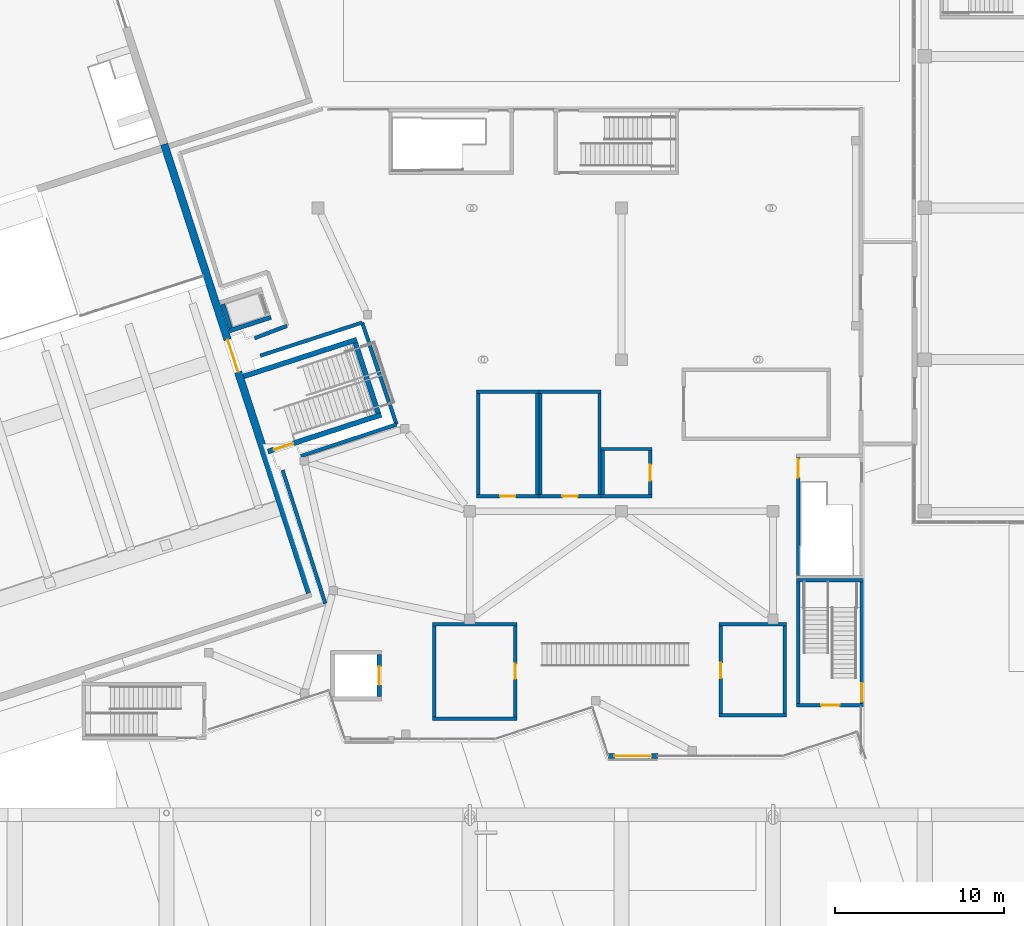
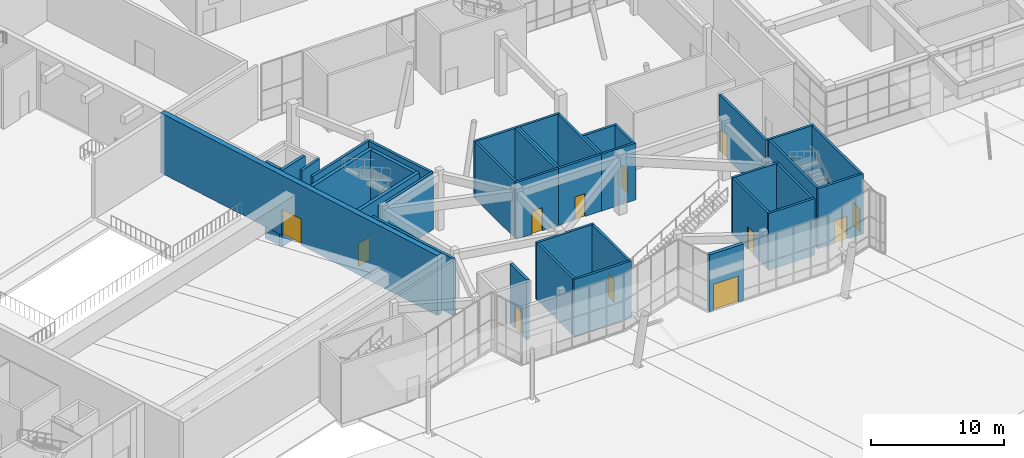
# One storey, part 52 of 72: 38 walls, 12 doors, 12 openings.
"""IFC4 building model written with IfcOpenShell, lengths in metres."""

import ifcopenshell
import ifcopenshell.guid

model = None  # the IFC model being written
_history = None  # IfcOwnerHistory: only IFC2X3 demands one
_inside = {}  # id of a spatial element -> (the spatial element, [elements in it])
_under = {}  # id of a project, library or spatial element -> (it, [spatial elements below it])
_declared = {}  # id of a project -> (the project, [libraries it declares])
_typed = {}  # id of a type object -> (the type object, [elements of that type])
_made_of = {}  # id of a material, layer set ... -> (it, [elements and type objects made of it])


def new_model(schema):
    """Start an empty IFC model of exactly this schema.

    Asked for "IFC4X3", IfcOpenShell would pick the latest addendum, in which some entities
    have other attributes; the version numbers below select the first issue.
    IFC2X3 requires an IfcOwnerHistory on every rooted entity: one is made here for all.
    """
    global model, _history
    if schema == "IFC4X3":
        model = ifcopenshell.file(schema_version=(4, 3, 0, 0))
    else:
        model = ifcopenshell.file(schema=schema)
    _inside.clear()
    _under.clear()
    _declared.clear()
    _typed.clear()
    _made_of.clear()
    _history = None
    if model.schema == "IFC2X3":
        org = make("IfcOrganization", Name="unknown")
        user = make(
            "IfcPersonAndOrganization",
            ThePerson=make("IfcPerson", FamilyName="unknown"),
            TheOrganization=org,
        )
        app = make(
            "IfcApplication",
            ApplicationDeveloper=org,
            Version="unknown",
            ApplicationFullName="unknown",
            ApplicationIdentifier="unknown",
        )
        _history = make(
            "IfcOwnerHistory",
            OwningUser=user,
            OwningApplication=app,
            ChangeAction="ADDED",
            CreationDate=0,
        )
    return model


def make(cls, **values):
    """One entity of the class cls with the attributes given. An attribute that is None is left unset."""
    return model.create_entity(
        cls, **{name: value for name, value in values.items() if value is not None}
    )


def rooted(cls, **values):
    """An entity with a GlobalId (a new one), such as an element, a storey or a relation."""
    return make(cls, GlobalId=ifcopenshell.guid.new(), OwnerHistory=_history, **values)


def si_unit(unit_type, name, prefix=None):
    """IfcSIUnit, for example si_unit("LENGTHUNIT", "METRE", prefix="MILLI")."""
    return make("IfcSIUnit", UnitType=unit_type, Prefix=prefix, Name=name)


def assignment(units):
    """IfcUnitAssignment: the units of a project."""
    return None if units is None else make("IfcUnitAssignment", Units=units)


def point(xyz):
    """IfcCartesianPoint."""
    return None if xyz is None else make("IfcCartesianPoint", Coordinates=xyz)


def direction(xyz):
    """IfcDirection."""
    return None if xyz is None else make("IfcDirection", DirectionRatios=xyz)


def frame(location, z_axis=None, x_axis=None):
    """IfcAxis2Placement3D, a coordinate frame: its origin and axes. An axis left out is left unset."""
    return make(
        "IfcAxis2Placement3D",
        Location=point(location),
        Axis=direction(z_axis),
        RefDirection=direction(x_axis),
    )


def frame_2d(location, x_axis=None):
    """IfcAxis2Placement2D, a coordinate frame in the plane: its origin and x axis."""
    return make(
        "IfcAxis2Placement2D", Location=point(location), RefDirection=direction(x_axis)
    )


def origin():
    """The frame at (0, 0, 0) with its axes left unset."""
    return frame((0.0, 0.0, 0.0))


def place(relative_to, where):
    """IfcLocalPlacement: puts the frame where relative to a parent placement (None: the world)."""
    return make(
        "IfcLocalPlacement", PlacementRelTo=relative_to, RelativePlacement=where
    )


def context(
    kind, dimensions, precision=None, world=None, true_north=None, identifier=None
):
    """IfcGeometricRepresentationContext, for example the 3D "Model" context."""
    return make(
        "IfcGeometricRepresentationContext",
        ContextIdentifier=identifier,
        ContextType=kind,
        CoordinateSpaceDimension=dimensions,
        Precision=precision,
        WorldCoordinateSystem=world,
        TrueNorth=true_north,
    )


def subcontext(parent, identifier, kind, view, scale=None):
    """IfcGeometricRepresentationSubContext, for example "Body" below "Model"."""
    return make(
        "IfcGeometricRepresentationSubContext",
        ContextIdentifier=identifier,
        ContextType=kind,
        ParentContext=parent,
        TargetScale=scale,
        TargetView=view,
    )


def project(units=None, contexts=None):
    """IfcProject with its units and contexts."""
    return rooted(
        "IfcProject",
        Name="project",
        RepresentationContexts=contexts,
        UnitsInContext=assignment(units),
    )


def spatial(cls, under=None, at=None, **own):
    """A site, building, storey or space (cls), placed at a placement, below another one or the project."""
    s = rooted(cls, ObjectPlacement=at, **own)
    if under is not None:
        _under.setdefault(under.id(), (under, []))[1].append(s)
    return s


def profile(cls, at=None, kind="AREA", **sizes):
    """A parametric profile (cls). Its sizes go by their IFC names, for example OverallWidth=200.0."""
    return make(cls, ProfileType=kind, Position=at, **sizes)


def rectangle(**sizes):
    """IfcRectangleProfileDef."""
    return profile("IfcRectangleProfileDef", **sizes)


def extrude(swept, where, along, depth):
    """IfcExtrudedAreaSolid: the profile swept, set in the frame where, extruded along a direction by depth."""
    return make(
        "IfcExtrudedAreaSolid",
        SweptArea=swept,
        Position=where,
        ExtrudedDirection=direction(along),
        Depth=depth,
    )


def shape(context_of_items, identifier, shape_type, items):
    """IfcShapeRepresentation: the items that make up one representation, for example the "Body"."""
    return make(
        "IfcShapeRepresentation",
        ContextOfItems=context_of_items,
        RepresentationIdentifier=identifier,
        RepresentationType=shape_type,
        Items=items,
    )


def material(Name=None, Category=None):
    """IfcMaterial."""
    return make("IfcMaterial", Name=Name, Category=Category)


def layer(
    of_material, thickness, ventilated=None, Name=None, Category=None, Priority=None
):
    """IfcMaterialLayer: one layer of a wall or slab, of a material (None: an air gap)."""
    return make(
        "IfcMaterialLayer",
        Material=of_material,
        LayerThickness=thickness,
        IsVentilated=ventilated,
        Name=Name,
        Category=Category,
        Priority=Priority,
    )


def layer_set(layers, Name=None):
    """IfcMaterialLayerSet."""
    return make("IfcMaterialLayerSet", MaterialLayers=layers, LayerSetName=Name)


def made_of(thing, what):
    """Note that an element or type object is made of a material, layer set ...; save() writes the relation."""
    if what is not None:
        _made_of.setdefault(what.id(), (what, []))[1].append(thing)
    return thing


def type_object(cls, material=None, **own):
    """A type object (cls), such as IfcWallType, which elements share."""
    return made_of(rooted(cls, **own), material)


def element(
    cls,
    number,
    at=None,
    inside=None,
    cuts=None,
    type_object=None,
    material=None,
    context=None,
    identifier="Body",
    shape_type=None,
    held_by="IfcProductDefinitionShape",
    body=None,
    shapes=None,
    **own,
):
    """One element of the class cls, such as IfcWall. Its Tag is "e" and its number.

    at: its placement. inside: the storey or other place that contains it. cuts: it is an
    opening in that element (IfcRelVoidsElement). A single representation is given by context,
    identifier, shape_type and body (its items); several are given by shapes. held_by: the class
    of the entity that holds the representations. save() writes the other relations.
    """
    e = rooted(cls, Tag="e%d" % number, ObjectPlacement=at, **own)
    if body is not None:
        shapes = [shape(context, identifier, shape_type, body)]
    if shapes is not None:
        e.Representation = make(held_by, Representations=shapes)
    if inside is not None:
        _inside.setdefault(inside.id(), (inside, []))[1].append(e)
    if cuts is not None:
        rooted(
            "IfcRelVoidsElement", RelatingBuildingElement=cuts, RelatedOpeningElement=e
        )
    if type_object is not None:
        _typed.setdefault(type_object.id(), (type_object, []))[1].append(e)
    return made_of(e, material)


def fill(opening, filler):
    """IfcRelFillsElement: the door or window that sits in an opening."""
    return rooted(
        "IfcRelFillsElement",
        RelatingOpeningElement=opening,
        RelatedBuildingElement=filler,
    )


def aggregate(whole, parts):
    """IfcRelAggregates: a whole, such as a stair, and the parts it consists of."""
    return rooted("IfcRelAggregates", RelatingObject=whole, RelatedObjects=parts)


def save(model, path):
    """Write the relations noted so far, then the file.

    IfcRelAggregates (storeys below a building ...), IfcRelContainedInSpatialStructure (elements
    in a storey), IfcRelDefinesByType, IfcRelAssociatesMaterial and IfcRelDeclares: one each for
    every whole, place, type object, material and project.
    """
    for whole, parts in _under.values():
        aggregate(whole, parts)
    for where, things in _inside.values():
        rooted(
            "IfcRelContainedInSpatialStructure",
            RelatedElements=things,
            RelatingStructure=where,
        )
    for kind, things in _typed.values():
        rooted("IfcRelDefinesByType", RelatedObjects=things, RelatingType=kind)
    for what, things in _made_of.values():
        rooted("IfcRelAssociatesMaterial", RelatedObjects=things, RelatingMaterial=what)
    for by, libraries in _declared.values():
        rooted("IfcRelDeclares", RelatingContext=by, RelatedDefinitions=libraries)
    model.write(path)


model = new_model("IFC4")

# Units and contexts
model_context = context("Model", 3, precision=1e-05, world=origin(), true_north=direction((0.0, 1.0)))
body_context = subcontext(model_context, "Body", "Model", "MODEL_VIEW")
ifc_project = project(units=[si_unit("LENGTHUNIT", "METRE"), si_unit("AREAUNIT", "SQUARE_METRE"), si_unit("VOLUMEUNIT", "CUBIC_METRE"), si_unit("PLANEANGLEUNIT", "RADIAN"), si_unit("MASSUNIT", "GRAM", prefix="KILO")], contexts=[model_context])

# Site, building, storey
site_placement = place(None, origin())
site = spatial("IfcSite", under=ifc_project, at=site_placement, CompositionType="ELEMENT")
building_placement = place(site_placement, origin())
building = spatial("IfcBuilding", under=site, at=building_placement, Name="Tuart Plaza Theatre", CompositionType="ELEMENT")
storey_placement = place(building_placement, origin())
storey = spatial("IfcBuildingStorey", under=building, at=storey_placement, Name="L00", CompositionType="ELEMENT", Elevation=0.0)

# Wall, opening, door
ifc_material_1 = material(Name="Masonry", Category="masonry")
ifc_layer_1 = layer(ifc_material_1, 0.199951171875)
ifc_layer_set_1 = layer_set([ifc_layer_1], Name="PARTITION BLK200 FRL 120/-/-")
wall_type_1 = type_object("IfcWallType", Name="PARTITION BLK200 FRL 120/-/-", PredefinedType="PARTITIONING", material=ifc_layer_set_1)
wall_1_placement = place(storey_placement, frame((87.39990234375, 56.89990234375, 0.0), z_axis=(0.0, 0.0, 1.0), x_axis=(1.0, 0.0, 0.0)))
wall_1 = element("IfcWall", 1, at=wall_1_placement, inside=storey, type_object=wall_type_1, Name="P285", PredefinedType="PARTITIONING", context=body_context, shape_type="SweptSolid", body=[
    extrude(rectangle(XDim=3.7001953125, YDim=0.199951171875, at=frame_2d((1.85009765625, 0.0))), origin(), (0.0, 0.0, 1.0), 5.199951171875),
])
opening_1_placement = place(wall_1_placement, frame((1.39990234375, 0.0, 0.0)))
opening_1 = element("IfcOpeningElement", 2, at=opening_1_placement, cuts=wall_1, Name="Opening L00-052", PredefinedType="OPENING", context=body_context, shape_type="SweptSolid", body=[
    extrude(rectangle(XDim=0.89990234375, YDim=2.10009765625, at=frame_2d((0.449951171875, 1.050048828125))), frame((0.0, 0.10986328125, 0.0), z_axis=(0.0, -1.0, 0.0), x_axis=(1.0, 0.0, 0.0)), (0.0, 0.0, 1.0), 0.219970703125),
])
ifc_material_2 = material(Name="Timber", Category="wood")
door_type_1 = type_object("IfcDoorType", Name="DOOR 900x2100 timber single swing FRL -/60/30", OperationType="SINGLE_SWING_LEFT", PredefinedType="DOOR", material=ifc_material_2)
door_1_placement = place(opening_1_placement, origin())
door_1 = element("IfcDoor", 3, at=door_1_placement, inside=storey, type_object=door_type_1, Name="L00-052", OperationType="SINGLE_SWING_LEFT", OverallHeight=2.10009765625, OverallWidth=0.89990234375, PredefinedType="DOOR", context=body_context, shape_type="SweptSolid", body=[
    extrude(rectangle(XDim=0.89990234375, YDim=2.10009765625, at=frame_2d((0.449951171875, 1.050048828125))), frame((0.0, 0.02490234375, 0.0), z_axis=(0.0, -1.0, 0.0), x_axis=(1.0, 0.0, 0.0)), (0.0, 0.0, 1.0), 0.050048828125),
])
fill(opening_1, door_1)

# Walls
wall_2_placement = place(storey_placement, frame((91.0, 57.0, 0.0), z_axis=(0.0, 0.0, 1.0), x_axis=(0.0, 1.0, 0.0)))
element("IfcWall", 4, at=wall_2_placement, inside=storey, type_object=wall_type_1, Name="P286", PredefinedType="PARTITIONING", context=body_context, shape_type="SweptSolid", body=[
    extrude(rectangle(XDim=6.0, YDim=0.199951171875, at=frame_2d((3.0, 0.0))), origin(), (0.0, 0.0, 1.0), 5.199951171875),
])
wall_3_placement = place(storey_placement, frame((91.10009765625, 63.10009765625, 0.0), z_axis=(0.0, 0.0, 1.0), x_axis=(-1.0, 0.0, 0.0)))
element("IfcWall", 5, at=wall_3_placement, inside=storey, type_object=wall_type_1, Name="P287", PredefinedType="PARTITIONING", context=body_context, shape_type="SweptSolid", body=[
    extrude(rectangle(XDim=3.7001953125, YDim=0.199951171875, at=frame_2d((1.85009765625, 0.0))), origin(), (0.0, 0.0, 1.0), 5.199951171875),
])
wall_4_placement = place(storey_placement, frame((87.5, 63.0, 0.0), z_axis=(0.0, 0.0, 1.0), x_axis=(0.0, -1.0, 0.0)))
element("IfcWall", 6, at=wall_4_placement, inside=storey, type_object=wall_type_1, Name="P288", PredefinedType="PARTITIONING", context=body_context, shape_type="SweptSolid", body=[
    extrude(rectangle(XDim=6.0, YDim=0.199951171875, at=frame_2d((3.0, 0.0))), origin(), (0.0, 0.0, 1.0), 5.199951171875),
])

# Wall, opening, door
wall_5_placement = place(storey_placement, frame((91.10009765625, 56.89990234375, 0.0), z_axis=(0.0, 0.0, 1.0), x_axis=(1.0, 0.0, 0.0)))
wall_5 = element("IfcWall", 7, at=wall_5_placement, inside=storey, type_object=wall_type_1, Name="P289", PredefinedType="PARTITIONING", context=body_context, shape_type="SweptSolid", body=[
    extrude(rectangle(XDim=3.699951171875, YDim=0.199951171875, at=frame_2d((1.85009765625, 0.0))), origin(), (0.0, 0.0, 1.0), 5.199951171875),
])
opening_2_placement = place(wall_5_placement, frame((1.39990234375, 0.0, 0.0)))
opening_2 = element("IfcOpeningElement", 8, at=opening_2_placement, cuts=wall_5, Name="Opening L00-053", PredefinedType="OPENING", context=body_context, shape_type="SweptSolid", body=[
    extrude(rectangle(XDim=0.89990234375, YDim=2.10009765625, at=frame_2d((0.449951171875, 1.050048828125))), frame((0.0, 0.10986328125, 0.0), z_axis=(0.0, -1.0, 0.0), x_axis=(1.0, 0.0, 0.0)), (0.0, 0.0, 1.0), 0.219970703125),
])
door_2_placement = place(opening_2_placement, origin())
door_2 = element("IfcDoor", 9, at=door_2_placement, inside=storey, type_object=door_type_1, Name="L00-053", OperationType="SINGLE_SWING_RIGHT", OverallHeight=2.10009765625, OverallWidth=0.89990234375, PredefinedType="DOOR", context=body_context, shape_type="SweptSolid", body=[
    extrude(rectangle(XDim=0.89990234375, YDim=2.10009765625, at=frame_2d((0.449951171875, 1.050048828125))), frame((0.0, 0.02490234375, 0.0), z_axis=(0.0, -1.0, 0.0), x_axis=(1.0, 0.0, 0.0)), (0.0, 0.0, 1.0), 0.050048828125),
])
fill(opening_2, door_2)

# Walls
wall_6_placement = place(storey_placement, frame((94.699951171875, 57.0, 0.0), z_axis=(0.0, 0.0, 1.0), x_axis=(0.0, 1.0, 0.0)))
element("IfcWall", 10, at=wall_6_placement, inside=storey, type_object=wall_type_1, Name="P290", PredefinedType="PARTITIONING", context=body_context, shape_type="SweptSolid", body=[
    extrude(rectangle(XDim=6.0, YDim=0.199951171875, at=frame_2d((3.0, 0.0))), origin(), (0.0, 0.0, 1.0), 5.199951171875),
])
wall_7_placement = place(storey_placement, frame((94.800048828125, 63.10009765625, 0.0), z_axis=(0.0, 0.0, 1.0), x_axis=(-1.0, 0.0, 0.0)))
element("IfcWall", 11, at=wall_7_placement, inside=storey, type_object=wall_type_1, Name="P291", PredefinedType="PARTITIONING", context=body_context, shape_type="SweptSolid", body=[
    extrude(rectangle(XDim=3.699951171875, YDim=0.199951171875, at=frame_2d((1.85009765625, 0.0))), origin(), (0.0, 0.0, 1.0), 5.199951171875),
])
wall_8_placement = place(storey_placement, frame((91.199951171875, 63.0, 0.0), z_axis=(0.0, 0.0, 1.0), x_axis=(0.0, -1.0, 0.0)))
element("IfcWall", 12, at=wall_8_placement, inside=storey, type_object=wall_type_1, Name="P292", PredefinedType="PARTITIONING", context=body_context, shape_type="SweptSolid", body=[
    extrude(rectangle(XDim=6.0, YDim=0.199951171875, at=frame_2d((3.0, 0.0))), origin(), (0.0, 0.0, 1.0), 5.199951171875),
])
wall_9_placement = place(storey_placement, frame((94.800048828125, 56.89990234375, 0.0), z_axis=(0.0, 0.0, 1.0), x_axis=(1.0, 0.0, 0.0)))
element("IfcWall", 13, at=wall_9_placement, inside=storey, type_object=wall_type_1, Name="P293", PredefinedType="PARTITIONING", context=body_context, shape_type="SweptSolid", body=[
    extrude(rectangle(XDim=3.0, YDim=0.199951171875, at=frame_2d((1.5, 0.0))), origin(), (0.0, 0.0, 1.0), 5.199951171875),
])

# Wall, opening, door
wall_10_placement = place(storey_placement, frame((97.699951171875, 57.0, 0.0), z_axis=(0.0, 0.0, 1.0), x_axis=(0.0, 1.0, 0.0)))
wall_10 = element("IfcWall", 14, at=wall_10_placement, inside=storey, type_object=wall_type_1, Name="P294", PredefinedType="PARTITIONING", context=body_context, shape_type="SweptSolid", body=[
    extrude(rectangle(XDim=2.60009765625, YDim=0.199951171875, at=frame_2d((1.300048828125, 0.0))), origin(), (0.0, 0.0, 1.0), 5.199951171875),
])
opening_3_placement = place(wall_10_placement, frame((0.824951171875, 0.0, 0.0)))
opening_3 = element("IfcOpeningElement", 15, at=opening_3_placement, cuts=wall_10, Name="Opening L00-054", PredefinedType="OPENING", context=body_context, shape_type="SweptSolid", body=[
    extrude(rectangle(XDim=0.949951171875, YDim=2.10009765625, at=frame_2d((0.47509765625, 1.050048828125))), frame((0.0, 0.10986328125, 0.0), z_axis=(0.0, -1.0, 0.0), x_axis=(1.0, 0.0, 0.0)), (0.0, 0.0, 1.0), 0.219970703125),
])
ifc_material_3 = material(Name="Timber", Category="wood")
door_type_2 = type_object("IfcDoorType", Name="DOOR 950x2100 timber single swing FRL -/60/30", OperationType="SINGLE_SWING_LEFT", PredefinedType="DOOR", material=ifc_material_3)
door_3_placement = place(opening_3_placement, origin())
door_3 = element("IfcDoor", 16, at=door_3_placement, inside=storey, type_object=door_type_2, Name="L00-054", OperationType="SINGLE_SWING_LEFT", OverallHeight=2.10009765625, OverallWidth=0.949951171875, PredefinedType="DOOR", context=body_context, shape_type="SweptSolid", body=[
    extrude(rectangle(XDim=0.949951171875, YDim=2.10009765625, at=frame_2d((0.47509765625, 1.050048828125))), frame((0.0, 0.02490234375, 0.0), z_axis=(0.0, -1.0, 0.0), x_axis=(1.0, 0.0, 0.0)), (0.0, 0.0, 1.0), 0.050048828125),
])
fill(opening_3, door_3)

# Walls
wall_11_placement = place(storey_placement, frame((97.800048828125, 59.699951171875, 0.0), z_axis=(0.0, 0.0, 1.0), x_axis=(-1.0, 0.0, 0.0)))
element("IfcWall", 17, at=wall_11_placement, inside=storey, type_object=wall_type_1, Name="P295", PredefinedType="PARTITIONING", context=body_context, shape_type="SweptSolid", body=[
    extrude(rectangle(XDim=3.0, YDim=0.199951171875, at=frame_2d((1.5, 0.0))), origin(), (0.0, 0.0, 1.0), 5.199951171875),
])
wall_12_placement = place(storey_placement, frame((94.89990234375, 59.60009765625, 0.0), z_axis=(0.0, 0.0, 1.0), x_axis=(0.0, -1.0, 0.0)))
element("IfcWall", 18, at=wall_12_placement, inside=storey, type_object=wall_type_1, Name="P296", PredefinedType="PARTITIONING", context=body_context, shape_type="SweptSolid", body=[
    extrude(rectangle(XDim=2.60009765625, YDim=0.199951171875, at=frame_2d((1.300048828125, 0.0))), origin(), (0.0, 0.0, 1.0), 5.199951171875),
])
wall_13_placement = place(storey_placement, frame((84.800048828125, 43.699951171875, 0.0), z_axis=(0.0, 0.0, 1.0), x_axis=(1.0, 0.0, 0.0)))
element("IfcWall", 19, at=wall_13_placement, inside=storey, type_object=wall_type_1, Name="P297", PredefinedType="PARTITIONING", context=body_context, shape_type="SweptSolid", body=[
    extrude(rectangle(XDim=5.0, YDim=0.199951171875, at=frame_2d((2.5, 0.0))), origin(), (0.0, 0.0, 1.0), 5.199951171875),
])

# Wall, opening, door
wall_14_placement = place(storey_placement, frame((89.699951171875, 43.800048828125, 0.0), z_axis=(0.0, 0.0, 1.0), x_axis=(0.0, 1.0, 0.0)))
wall_14 = element("IfcWall", 20, at=wall_14_placement, inside=storey, type_object=wall_type_1, Name="P298", PredefinedType="PARTITIONING", context=body_context, shape_type="SweptSolid", body=[
    extrude(rectangle(XDim=5.39990234375, YDim=0.199951171875, at=frame_2d((2.699951171875, 0.0))), origin(), (0.0, 0.0, 1.0), 5.199951171875),
])
opening_4_placement = place(wall_14_placement, frame((2.25, 0.0, 0.0)))
opening_4 = element("IfcOpeningElement", 21, at=opening_4_placement, cuts=wall_14, Name="Opening L00-055", PredefinedType="OPENING", context=body_context, shape_type="SweptSolid", body=[
    extrude(rectangle(XDim=0.89990234375, YDim=2.10009765625, at=frame_2d((0.449951171875, 1.050048828125))), frame((0.0, 0.10986328125, 0.0), z_axis=(0.0, -1.0, 0.0), x_axis=(1.0, 0.0, 0.0)), (0.0, 0.0, 1.0), 0.219970703125),
])
door_4_placement = place(opening_4_placement, origin())
door_4 = element("IfcDoor", 22, at=door_4_placement, inside=storey, type_object=door_type_1, Name="L00-055", OperationType="SINGLE_SWING_RIGHT", OverallHeight=2.10009765625, OverallWidth=0.89990234375, PredefinedType="DOOR", context=body_context, shape_type="SweptSolid", body=[
    extrude(rectangle(XDim=0.89990234375, YDim=2.10009765625, at=frame_2d((0.449951171875, 1.050048828125))), frame((0.0, 0.02490234375, 0.0), z_axis=(0.0, -1.0, 0.0), x_axis=(1.0, 0.0, 0.0)), (0.0, 0.0, 1.0), 0.050048828125),
])
fill(opening_4, door_4)

# Walls
wall_15_placement = place(storey_placement, frame((89.800048828125, 49.300048828125, 0.0), z_axis=(0.0, 0.0, 1.0), x_axis=(-1.0, 0.0, 0.0)))
element("IfcWall", 23, at=wall_15_placement, inside=storey, type_object=wall_type_1, Name="P299", PredefinedType="PARTITIONING", context=body_context, shape_type="SweptSolid", body=[
    extrude(rectangle(XDim=5.0, YDim=0.199951171875, at=frame_2d((2.5, 0.0))), origin(), (0.0, 0.0, 1.0), 5.199951171875),
])
wall_16_placement = place(storey_placement, frame((84.89990234375, 49.199951171875, 0.0), z_axis=(0.0, 0.0, 1.0), x_axis=(0.0, -1.0, 0.0)))
element("IfcWall", 24, at=wall_16_placement, inside=storey, type_object=wall_type_1, Name="P300", PredefinedType="PARTITIONING", context=body_context, shape_type="SweptSolid", body=[
    extrude(rectangle(XDim=5.39990234375, YDim=0.199951171875, at=frame_2d((2.699951171875, 0.0))), origin(), (0.0, 0.0, 1.0), 5.199951171875),
])
wall_17_placement = place(storey_placement, frame((101.800048828125, 43.89990234375, 0.0), z_axis=(0.0, 0.0, 1.0), x_axis=(1.0, 0.0, 0.0)))
element("IfcWall", 25, at=wall_17_placement, inside=storey, type_object=wall_type_1, Name="P301", PredefinedType="PARTITIONING", context=body_context, shape_type="SweptSolid", body=[
    extrude(rectangle(XDim=4.0, YDim=0.199951171875, at=frame_2d((2.0, 0.0))), origin(), (0.0, 0.0, 1.0), 5.199951171875),
])
wall_18_placement = place(storey_placement, frame((105.699951171875, 44.0, 0.0), z_axis=(0.0, 0.0, 1.0), x_axis=(0.0, 1.0, 0.0)))
element("IfcWall", 26, at=wall_18_placement, inside=storey, type_object=wall_type_1, Name="P302", PredefinedType="PARTITIONING", context=body_context, shape_type="SweptSolid", body=[
    extrude(rectangle(XDim=5.199951171875, YDim=0.199951171875, at=frame_2d((2.60009765625, 0.0))), origin(), (0.0, 0.0, 1.0), 5.199951171875),
])
wall_19_placement = place(storey_placement, frame((105.800048828125, 49.300048828125, 0.0), z_axis=(0.0, 0.0, 1.0), x_axis=(-1.0, 0.0, 0.0)))
element("IfcWall", 27, at=wall_19_placement, inside=storey, type_object=wall_type_1, Name="P303", PredefinedType="PARTITIONING", context=body_context, shape_type="SweptSolid", body=[
    extrude(rectangle(XDim=4.0, YDim=0.199951171875, at=frame_2d((2.0, 0.0))), origin(), (0.0, 0.0, 1.0), 5.199951171875),
])

# Wall, opening, door
wall_20_placement = place(storey_placement, frame((101.89990234375, 49.199951171875, 0.0), z_axis=(0.0, 0.0, 1.0), x_axis=(0.0, -1.0, 0.0)))
wall_20 = element("IfcWall", 28, at=wall_20_placement, inside=storey, type_object=wall_type_1, Name="P304", PredefinedType="PARTITIONING", context=body_context, shape_type="SweptSolid", body=[
    extrude(rectangle(XDim=5.199951171875, YDim=0.199951171875, at=frame_2d((2.60009765625, 0.0))), origin(), (0.0, 0.0, 1.0), 5.199951171875),
])
opening_5_placement = place(wall_20_placement, frame((2.199951171875, 0.0, 0.0)))
opening_5 = element("IfcOpeningElement", 29, at=opening_5_placement, cuts=wall_20, Name="Opening L00-056", PredefinedType="OPENING", context=body_context, shape_type="SweptSolid", body=[
    extrude(rectangle(XDim=0.89990234375, YDim=2.10009765625, at=frame_2d((0.449951171875, 1.050048828125))), frame((0.0, 0.10986328125, 0.0), z_axis=(0.0, -1.0, 0.0), x_axis=(1.0, 0.0, 0.0)), (0.0, 0.0, 1.0), 0.219970703125),
])
door_5_placement = place(opening_5_placement, origin())
door_5 = element("IfcDoor", 30, at=door_5_placement, inside=storey, type_object=door_type_1, Name="L00-056", OperationType="SINGLE_SWING_LEFT", OverallHeight=2.10009765625, OverallWidth=0.89990234375, PredefinedType="DOOR", context=body_context, shape_type="SweptSolid", body=[
    extrude(rectangle(XDim=0.89990234375, YDim=2.10009765625, at=frame_2d((0.449951171875, 1.050048828125))), frame((0.0, 0.02490234375, 0.0), z_axis=(0.0, -1.0, 0.0), x_axis=(1.0, 0.0, 0.0)), (0.0, 0.0, 1.0), 0.050048828125),
])
fill(opening_5, door_5)

ifc_material_4 = material(Name="Concrete N40 (40 MPa)", Category="concrete")
ifc_layer_2 = layer(ifc_material_4, 0.199951171875)
ifc_layer_set_2 = layer_set([ifc_layer_2], Name="SHEAR WALL RC200 FRL 120/120/120")
wall_type_2 = type_object("IfcWallType", Name="SHEAR WALL RC200 FRL 120/120/120", PredefinedType="SHEAR", material=ifc_layer_set_2)
wall_21_placement = place(storey_placement, frame((106.39990234375, 44.5, 0.0), z_axis=(0.0, 0.0, 1.0), x_axis=(1.0, 0.0, 0.0)))
wall_21 = element("IfcWall", 31, at=wall_21_placement, inside=storey, type_object=wall_type_2, Name="W247", PredefinedType="SHEAR", context=body_context, shape_type="SweptSolid", body=[
    extrude(rectangle(XDim=3.960205078125, YDim=0.199951171875, at=frame_2d((1.97998046875, 0.0))), origin(), (0.0, 0.0, 1.0), 5.5),
])
opening_6_placement = place(wall_21_placement, frame((1.449951171875, 0.0, 0.0)))
opening_6 = element("IfcOpeningElement", 32, at=opening_6_placement, cuts=wall_21, Name="Opening L00-062", PredefinedType="OPENING", context=body_context, shape_type="SweptSolid", body=[
    extrude(rectangle(XDim=1.10009765625, YDim=2.10009765625, at=frame_2d((0.550048828125, 1.050048828125))), frame((0.0, 0.10986328125, 0.0), z_axis=(0.0, -1.0, 0.0), x_axis=(1.0, 0.0, 0.0)), (0.0, 0.0, 1.0), 0.219970703125),
])
ifc_material_5 = material(Name="Steel Grade 300", Category="steel")
door_type_3 = type_object("IfcDoorType", Name="DOOR 1100x2100 steel single swing FRL -/120/30", OperationType="SINGLE_SWING_LEFT", PredefinedType="DOOR", material=ifc_material_5)
door_6_placement = place(opening_6_placement, origin())
door_6 = element("IfcDoor", 33, at=door_6_placement, inside=storey, type_object=door_type_3, Name="L00-062", OperationType="SINGLE_SWING_LEFT", OverallHeight=2.10009765625, OverallWidth=1.10009765625, PredefinedType="DOOR", context=body_context, shape_type="SweptSolid", body=[
    extrude(rectangle(XDim=1.10009765625, YDim=2.10009765625, at=frame_2d((0.550048828125, 1.050048828125))), frame((0.0, 0.02490234375, 0.0), z_axis=(0.0, -1.0, 0.0), x_axis=(1.0, 0.0, 0.0)), (0.0, 0.0, 1.0), 0.050048828125),
])
fill(opening_6, door_6)

# Walls
wall_22_placement = place(storey_placement, frame((110.360107421875, 51.89990234375, 0.0), z_axis=(0.0, 0.0, 1.0), x_axis=(-1.0, 0.0, 0.0)))
element("IfcWall", 34, at=wall_22_placement, inside=storey, type_object=wall_type_2, Name="W248", PredefinedType="SHEAR", context=body_context, shape_type="SweptSolid", body=[
    extrude(rectangle(XDim=3.960205078125, YDim=0.199951171875, at=frame_2d((1.97998046875, 0.0))), origin(), (0.0, 0.0, 1.0), 5.5),
])
wall_23_placement = place(storey_placement, frame((106.5, 51.800048828125, 0.0), z_axis=(0.0, 0.0, 1.0), x_axis=(0.0, -1.0, 0.0)))
element("IfcWall", 35, at=wall_23_placement, inside=storey, type_object=wall_type_2, Name="W249", PredefinedType="SHEAR", context=body_context, shape_type="SweptSolid", body=[
    extrude(rectangle(XDim=7.199951171875, YDim=0.199951171875, at=frame_2d((3.60009765625, 0.0))), origin(), (0.0, 0.0, 1.0), 5.5),
])

# Wall, opening, door
wall_24_placement = place(storey_placement, frame((106.5, 59.199951171875, 0.0), z_axis=(0.0, 0.0, 1.0), x_axis=(0.0, -1.0, 0.0)))
wall_24 = element("IfcWall", 36, at=wall_24_placement, inside=storey, type_object=wall_type_2, Name="W261", PredefinedType="SHEAR", context=body_context, shape_type="SweptSolid", body=[
    extrude(rectangle(XDim=7.0, YDim=0.199951171875, at=frame_2d((3.5, 0.0))), origin(), (0.0, 0.0, 1.0), 5.199951171875),
])
opening_7_placement = place(wall_24_placement, frame((0.10009765625, 0.0, 0.0)))
opening_7 = element("IfcOpeningElement", 37, at=opening_7_placement, cuts=wall_24, Name="Opening L00-101", PredefinedType="OPENING", context=body_context, shape_type="SweptSolid", body=[
    extrude(rectangle(XDim=1.10009765625, YDim=2.10009765625, at=frame_2d((0.550048828125, 1.050048828125))), frame((0.0, 0.10986328125, 0.0), z_axis=(0.0, -1.0, 0.0), x_axis=(1.0, 0.0, 0.0)), (0.0, 0.0, 1.0), 0.219970703125),
])
door_7_placement = place(opening_7_placement, origin())
door_7 = element("IfcDoor", 38, at=door_7_placement, inside=storey, type_object=door_type_3, Name="L00-101", OperationType="SINGLE_SWING_RIGHT", OverallHeight=2.10009765625, OverallWidth=1.10009765625, PredefinedType="DOOR", context=body_context, shape_type="SweptSolid", body=[
    extrude(rectangle(XDim=1.10009765625, YDim=2.10009765625, at=frame_2d((0.550048828125, 1.050048828125))), frame((0.0, 0.02490234375, 0.0), z_axis=(0.0, -1.0, 0.0), x_axis=(1.0, 0.0, 0.0)), (0.0, 0.0, 1.0), 0.050048828125),
])
fill(opening_7, door_7)

ifc_material_6 = material(Name="Concrete N40 (40 MPa)", Category="concrete")
ifc_layer_3 = layer(ifc_material_6, 0.199951171875)
ifc_layer_set_3 = layer_set([ifc_layer_3], Name="SHEAR WALL RC200 FRL 120/120/120 EXT")
wall_type_3 = type_object("IfcWallType", Name="SHEAR WALL RC200 FRL 120/120/120 EXT", PredefinedType="SHEAR", material=ifc_layer_set_3)
wall_25_placement = place(storey_placement, frame((110.260009765625, 44.60009765625, 0.0), z_axis=(0.0, 0.0, 1.0), x_axis=(0.0, 1.0, 0.0)))
wall_25 = element("IfcWall", 39, at=wall_25_placement, inside=storey, type_object=wall_type_3, Name="W258", PredefinedType="SHEAR", context=body_context, shape_type="SweptSolid", body=[
    extrude(rectangle(XDim=7.199951171875, YDim=0.199951171875, at=frame_2d((3.60009765625, 0.0))), origin(), (0.0, 0.0, 1.0), 5.5),
])
opening_8_placement = place(wall_25_placement, frame((0.10009765625, 0.0, 0.0)))
opening_8 = element("IfcOpeningElement", 40, at=opening_8_placement, cuts=wall_25, Name="Opening L00-063", PredefinedType="OPENING", context=body_context, shape_type="SweptSolid", body=[
    extrude(rectangle(XDim=1.10009765625, YDim=2.10009765625, at=frame_2d((0.550048828125, 1.050048828125))), frame((0.0, 0.10986328125, 0.0), z_axis=(0.0, -1.0, 0.0), x_axis=(1.0, 0.0, 0.0)), (0.0, 0.0, 1.0), 0.219970703125),
])
door_8_placement = place(opening_8_placement, frame((1.10009765625, 0.0, 0.0), z_axis=(0.0, 0.0, 1.0), x_axis=(-1.0, 0.0, 0.0)))
door_8 = element("IfcDoor", 41, at=door_8_placement, inside=storey, type_object=door_type_3, Name="L00-063", OperationType="SINGLE_SWING_LEFT", OverallHeight=2.10009765625, OverallWidth=1.10009765625, PredefinedType="DOOR", context=body_context, shape_type="SweptSolid", body=[
    extrude(rectangle(XDim=1.10009765625, YDim=2.10009765625, at=frame_2d((0.550048828125, 1.050048828125))), frame((0.0, 0.02490234375, 0.0), z_axis=(0.0, -1.0, 0.0), x_axis=(1.0, 0.0, 0.0)), (0.0, 0.0, 1.0), 0.050048828125),
])
fill(opening_8, door_8)

# Walls
ifc_material_7 = material(Name="Concrete N40 (40 MPa)", Category="concrete")
ifc_layer_4 = layer(ifc_material_7, 0.25)
ifc_layer_set_4 = layer_set([ifc_layer_4], Name="SHEAR WALL RC250 FRL 120/120/120")
wall_type_4 = type_object("IfcWallType", Name="SHEAR WALL RC250 FRL 120/120/120", PredefinedType="SHEAR", material=ifc_layer_set_4)
wall_26_placement = place(storey_placement, frame((72.727294921875, 66.70751953125, -1.5), z_axis=(0.0, 0.0, 1.0), x_axis=(0.951087187149, 0.308922583248, 0.0)))
element("IfcWall", 42, at=wall_26_placement, inside=storey, type_object=wall_type_4, Name="W228", PredefinedType="SHEAR", context=body_context, shape_type="SweptSolid", body=[
    extrude(rectangle(XDim=2.60009765625, YDim=0.25, at=frame_2d((1.300048828125, 0.0))), origin(), (0.0, 0.0, 1.0), 7.0),
])
wall_27_placement = place(storey_placement, frame((72.343994140625, 68.29150390625, -1.5), z_axis=(0.0, 0.0, 1.0), x_axis=(0.309089752708, -0.951032872603, 0.0)))
element("IfcWall", 43, at=wall_27_placement, inside=storey, type_object=wall_type_4, Name="W231", PredefinedType="SHEAR", context=body_context, shape_type="SweptSolid", body=[
    extrude(rectangle(XDim=1.5, YDim=0.25, at=frame_2d((0.75, 0.0))), origin(), (0.0, 0.0, 1.0), 7.0),
])

# Wall, opening, door
wall_28_placement = place(storey_placement, frame((81.625, 45.0, 0.0), z_axis=(0.0, 0.0, 1.0), x_axis=(0.0, 1.0, 0.0)))
wall_28 = element("IfcWall", 44, at=wall_28_placement, inside=storey, type_object=wall_type_4, Name="W276", PredefinedType="SHEAR", context=body_context, shape_type="SweptSolid", body=[
    extrude(rectangle(XDim=2.5, YDim=0.25, at=frame_2d((1.25, 0.0))), origin(), (0.0, 0.0, 1.0), 5.5),
])
opening_9_placement = place(wall_28_placement, frame((0.699951171875, 0.0, 0.0)))
opening_9 = element("IfcOpeningElement", 45, at=opening_9_placement, cuts=wall_28, Name="Opening L00-004", PredefinedType="OPENING", context=body_context, shape_type="SweptSolid", body=[
    extrude(rectangle(XDim=1.10009765625, YDim=2.10009765625, at=frame_2d((0.550048828125, 1.050048828125))), frame((0.0, 0.135009765625, 0.0), z_axis=(0.0, -1.0, 0.0), x_axis=(1.0, 0.0, 0.0)), (0.0, 0.0, 1.0), 0.27001953125),
])
ifc_material_8 = material(Name="Steel Grade 300", Category="steel")
door_type_4 = type_object("IfcDoorType", Name="LANDING DOOR 1100x2100 steel sliding FRL -/120/30", OperationType="SLIDING_TO_LEFT", PredefinedType="DOOR", material=ifc_material_8)
door_9_placement = place(opening_9_placement, origin())
door_9 = element("IfcDoor", 46, at=door_9_placement, inside=storey, type_object=door_type_4, Name="L00-004", OperationType="SLIDING_TO_LEFT", OverallHeight=2.10009765625, OverallWidth=1.10009765625, PredefinedType="DOOR", context=body_context, shape_type="SweptSolid", body=[
    extrude(rectangle(XDim=1.10009765625, YDim=2.10009765625, at=frame_2d((0.550048828125, 1.050048828125))), frame((0.0, 0.02490234375, 0.0), z_axis=(0.0, -1.0, 0.0), x_axis=(1.0, 0.0, 0.0)), (0.0, 0.0, 1.0), 0.050048828125),
])
fill(opening_9, door_9)

ifc_material_9 = material(Name="Concrete N50 (50 MPa)", Category="concrete")
ifc_layer_5 = layer(ifc_material_9, 0.449951171875)
ifc_layer_set_5 = layer_set([ifc_layer_5], Name="SHEAR WALL RC450 N50 FRL 120/120/120")
wall_type_5 = type_object("IfcWallType", Name="SHEAR WALL RC450 N50 FRL 120/120/120", PredefinedType="SHEAR", material=ifc_layer_set_5)
wall_29_placement = place(storey_placement, frame((77.51123046875, 51.175537109375, 0.0), z_axis=(0.0, 0.0, 1.0), x_axis=(-0.309018780445, 0.951055935964, 0.0)))
wall_29 = element("IfcWall", 47, at=wall_29_placement, inside=storey, type_object=wall_type_5, Name="W26", PredefinedType="SHEAR", context=body_context, shape_type="SweptSolid", body=[
    extrude(rectangle(XDim=27.974853515625, YDim=0.449951171875, at=frame_2d((13.9873046875, 0.0))), origin(), (0.0, 0.0, 1.0), 5.5),
])
opening_10_placement = place(wall_29_placement, frame((13.77490234375, 0.0, 0.0)))
opening_10 = element("IfcOpeningElement", 48, at=opening_10_placement, cuts=wall_29, Name="Opening L00-051", PredefinedType="OPENING", context=body_context, shape_type="SweptSolid", body=[
    extrude(rectangle(XDim=2.0, YDim=2.39990234375, at=frame_2d((1.0, 1.199951171875))), frame((0.0, 0.23486328125, 0.0), z_axis=(0.0, -1.0, 0.0), x_axis=(1.0, 0.0, 0.0)), (0.0, 0.0, 1.0), 0.469970703125),
])
ifc_material_10 = material(Name="Timber", Category="wood")
door_type_5 = type_object("IfcDoorType", Name="DOOR 2000x2400 timber double swing FRL -/120/30", OperationType="DOUBLE_DOOR_SINGLE_SWING", PredefinedType="DOOR", material=ifc_material_10)
door_10_placement = place(opening_10_placement, origin())
door_10 = element("IfcDoor", 49, at=door_10_placement, inside=storey, type_object=door_type_5, Name="L00-051", OperationType="DOUBLE_DOOR_SINGLE_SWING", OverallHeight=2.39990234375, OverallWidth=2.0, PredefinedType="DOOR", context=body_context, shape_type="SweptSolid", body=[
    extrude(rectangle(XDim=2.0, YDim=2.39990234375, at=frame_2d((1.0, 1.199951171875))), frame((0.0, 0.02490234375, 0.0), z_axis=(0.0, -1.0, 0.0), x_axis=(1.0, 0.0, 0.0)), (0.0, 0.0, 1.0), 0.050048828125),
])
fill(opening_10, door_10)

# Walls
ifc_material_11 = material(Name="Concrete N40 (40 MPa)", Category="concrete")
ifc_layer_6 = layer(ifc_material_11, 0.219970703125)
ifc_layer_set_6 = layer_set([ifc_layer_6], Name="WALL RC220 FRL 120/120/120")
wall_type_6 = type_object("IfcWallType", Name="WALL RC220 FRL 120/120/120", PredefinedType="SOLIDWALL", material=ifc_layer_set_6)
wall_30_placement = place(storey_placement, frame((76.979736328125, 59.283203125, 0.0), z_axis=(0.0, 0.0, 1.0), x_axis=(0.949534422978, 0.313662843798, 0.0)))
element("IfcWall", 50, at=wall_30_placement, inside=storey, type_object=wall_type_6, Name="P39", PredefinedType="SOLIDWALL", context=body_context, shape_type="SweptSolid", body=[
    extrude(rectangle(XDim=5.970703125, YDim=0.219970703125, at=frame_2d((2.9853515625, 0.0))), origin(), (0.0, 0.0, 1.0), 5.199951171875),
])
wall_31_placement = place(storey_placement, frame((82.649169921875, 61.156005859375, 0.0), z_axis=(0.0, 0.0, 1.0), x_axis=(-0.319548146605, 0.947570040684, 0.0)))
element("IfcWall", 51, at=wall_31_placement, inside=storey, type_object=wall_type_6, Name="P40", PredefinedType="SOLIDWALL", context=body_context, shape_type="SweptSolid", body=[
    extrude(rectangle(XDim=6.37109375, YDim=0.219970703125, at=frame_2d((3.185546875, 0.0))), origin(), (0.0, 0.0, 1.0), 5.199951171875),
])
wall_32_placement = place(storey_placement, frame((80.61328125, 67.193115234375, 0.0), z_axis=(0.0, 0.0, 1.0), x_axis=(-0.951051301895, -0.309033042189, 0.0)))
element("IfcWall", 52, at=wall_32_placement, inside=storey, type_object=wall_type_6, Name="P41", PredefinedType="SOLIDWALL", context=body_context, shape_type="SweptSolid", body=[
    extrude(rectangle(XDim=6.35009765625, YDim=0.219970703125, at=frame_2d((3.175048828125, 0.0))), origin(), (0.0, 0.0, 1.0), 5.199951171875),
])
wall_33_placement = place(storey_placement, frame((74.234130859375, 66.27685546875, 0.0), z_axis=(0.0, 0.0, 1.0), x_axis=(0.934839656158, 0.355070158243, 0.0)))
element("IfcWall", 53, at=wall_33_placement, inside=storey, type_object=wall_type_6, Name="P42", PredefinedType="SOLIDWALL", context=body_context, shape_type="SweptSolid", body=[
    extrude(rectangle(XDim=2.052490234375, YDim=0.219970703125, at=frame_2d((1.0263671875, 0.0))), origin(), (0.0, 0.0, 1.0), 5.199951171875),
])
wall_34_placement = place(storey_placement, frame((78.42578125, 50.53076171875, 0.0), z_axis=(0.0, 0.0, 1.0), x_axis=(-0.30564642519, 0.952145084937, 0.0)))
element("IfcWall", 54, at=wall_34_placement, inside=storey, type_object=wall_type_6, Name="P48", PredefinedType="SOLIDWALL", context=body_context, shape_type="SweptSolid", body=[
    extrude(rectangle(XDim=8.30078125, YDim=0.219970703125, at=frame_2d((4.150390625, 0.0))), origin(), (0.0, 0.0, 1.0), 5.199951171875),
])

# Wall, opening, door
ifc_material_12 = material(Name="Concrete N40 (40 MPa)", Category="concrete")
ifc_layer_7 = layer(ifc_material_12, 0.300048828125)
ifc_layer_set_7 = layer_set([ifc_layer_7], Name="WALL RC300 EXT")
wall_type_7 = type_object("IfcWallType", Name="WALL RC300 EXT", PredefinedType="SOLIDWALL", material=ifc_layer_set_7)
wall_35_placement = place(storey_placement, frame((95.22900390625, 41.47900390625, 0.0), z_axis=(0.0, 0.0, 1.0), x_axis=(1.0, 0.0, 0.0)))
wall_35 = element("IfcWall", 55, at=wall_35_placement, inside=storey, type_object=wall_type_7, Name="P37", PredefinedType="SOLIDWALL", context=body_context, shape_type="SweptSolid", body=[
    extrude(rectangle(XDim=2.94091796875, YDim=0.300048828125, at=frame_2d((1.470458984375, 0.0))), origin(), (0.0, 0.0, 1.0), 5.199951171875),
])
opening_11_placement = place(wall_35_placement, frame((0.345458984375, 0.0, 0.0)))
opening_11 = element("IfcOpeningElement", 56, at=opening_11_placement, cuts=wall_35, Name="Opening L00-007", PredefinedType="OPENING", context=body_context, shape_type="SweptSolid", body=[
    extrude(rectangle(XDim=2.199951171875, YDim=2.39990234375, at=frame_2d((1.10009765625, 1.199951171875))), frame((0.0, 0.159912109375, 0.0), z_axis=(0.0, -1.0, 0.0), x_axis=(1.0, 0.0, 0.0)), (0.0, 0.0, 1.0), 0.320068359375),
])
ifc_material_13 = material(Name="Aluminium", Category="aluminium")
door_type_6 = type_object("IfcDoorType", Name="DOOR 2200x2400 aluminium double swing glazed", OperationType="DOUBLE_DOOR_SINGLE_SWING", PredefinedType="DOOR", material=ifc_material_13)
door_11_placement = place(opening_11_placement, frame((2.199951171875, 0.0, 0.0), z_axis=(0.0, 0.0, 1.0), x_axis=(-1.0, 0.0, 0.0)))
door_11 = element("IfcDoor", 57, at=door_11_placement, inside=storey, type_object=door_type_6, Name="L00-007", OperationType="DOUBLE_DOOR_SINGLE_SWING", OverallHeight=2.39990234375, OverallWidth=2.199951171875, PredefinedType="DOOR", context=body_context, shape_type="SweptSolid", body=[
    extrude(rectangle(XDim=2.199951171875, YDim=2.39990234375, at=frame_2d((1.10009765625, 1.199951171875))), frame((0.0, 0.02490234375, 0.0), z_axis=(0.0, -1.0, 0.0), x_axis=(1.0, 0.0, 0.0)), (0.0, 0.0, 1.0), 0.050048828125),
])
fill(opening_11, door_11)

ifc_material_14 = material(Name="Concrete N40 (40 MPa)", Category="concrete")
ifc_layer_8 = layer(ifc_material_14, 0.300048828125)
ifc_layer_set_8 = layer_set([ifc_layer_8], Name="WALL RC300 LB FRL 120/120/120")
wall_type_8 = type_object("IfcWallType", Name="WALL RC300 LB FRL 120/120/120", PredefinedType="SOLIDWALL", material=ifc_layer_set_8)
wall_36_placement = place(storey_placement, frame((75.02880859375, 59.54296875, 0.0), z_axis=(0.0, 0.0, 1.0), x_axis=(0.951057649576, 0.309013506475, 0.0)))
wall_36 = element("IfcWall", 58, at=wall_36_placement, inside=storey, type_object=wall_type_8, Name="W125", PredefinedType="SOLIDWALL", context=body_context, shape_type="SweptSolid", body=[
    extrude(rectangle(XDim=7.074951171875, YDim=0.300048828125, at=frame_2d((3.53759765625, 0.0))), origin(), (0.0, 0.0, 1.0), 5.199951171875),
])
opening_12_placement = place(wall_36_placement, frame((0.375, 0.0, 0.0)))
opening_12 = element("IfcOpeningElement", 59, at=opening_12_placement, cuts=wall_36, Name="Opening L00-037", PredefinedType="OPENING", context=body_context, shape_type="SweptSolid", body=[
    extrude(rectangle(XDim=1.199951171875, YDim=2.10009765625, at=frame_2d((0.60009765625, 1.050048828125))), frame((0.0, 0.159912109375, 0.0), z_axis=(0.0, -1.0, 0.0), x_axis=(1.0, 0.0, 0.0)), (0.0, 0.0, 1.0), 0.320068359375),
])
ifc_material_15 = material(Name="Timber", Category="wood")
door_type_7 = type_object("IfcDoorType", Name="DOOR 1200x2100 timber single swing FRL -/120/30", OperationType="SINGLE_SWING_LEFT", PredefinedType="DOOR", material=ifc_material_15)
door_12_placement = place(opening_12_placement, origin())
door_12 = element("IfcDoor", 60, at=door_12_placement, inside=storey, type_object=door_type_7, Name="L00-037", OperationType="SINGLE_SWING_RIGHT", OverallHeight=2.10009765625, OverallWidth=1.199951171875, PredefinedType="DOOR", context=body_context, shape_type="SweptSolid", body=[
    extrude(rectangle(XDim=1.199951171875, YDim=2.10009765625, at=frame_2d((0.60009765625, 1.050048828125))), frame((0.0, 0.02490234375, 0.0), z_axis=(0.0, -1.0, 0.0), x_axis=(1.0, 0.0, 0.0)), (0.0, 0.0, 1.0), 0.050048828125),
])
fill(opening_12, door_12)

# Walls
wall_37_placement = place(storey_placement, frame((81.568603515625, 61.82568359375, 0.0), z_axis=(0.0, 0.0, 1.0), x_axis=(-0.30901079133, 0.951058531764, 0.0)))
element("IfcWall", 61, at=wall_37_placement, inside=storey, type_object=wall_type_8, Name="W126", PredefinedType="SOLIDWALL", context=body_context, shape_type="SweptSolid", body=[
    extrude(rectangle(XDim=4.39990234375, YDim=0.300048828125, at=frame_2d((2.199951171875, 0.0))), origin(), (0.0, 0.0, 1.0), 5.199951171875),
])
wall_38_placement = place(storey_placement, frame((80.30517578125, 66.19921875, 0.0), z_axis=(0.0, 0.0, 1.0), x_axis=(-0.951054354327, -0.309023648149, 0.0)))
element("IfcWall", 62, at=wall_38_placement, inside=storey, type_object=wall_type_8, Name="W127", PredefinedType="SOLIDWALL", context=body_context, shape_type="SweptSolid", body=[
    extrude(rectangle(XDim=7.07470703125, YDim=0.300048828125, at=frame_2d((3.537353515625, 0.0))), origin(), (0.0, 0.0, 1.0), 5.199951171875),
])

save(model, "model.ifc")
